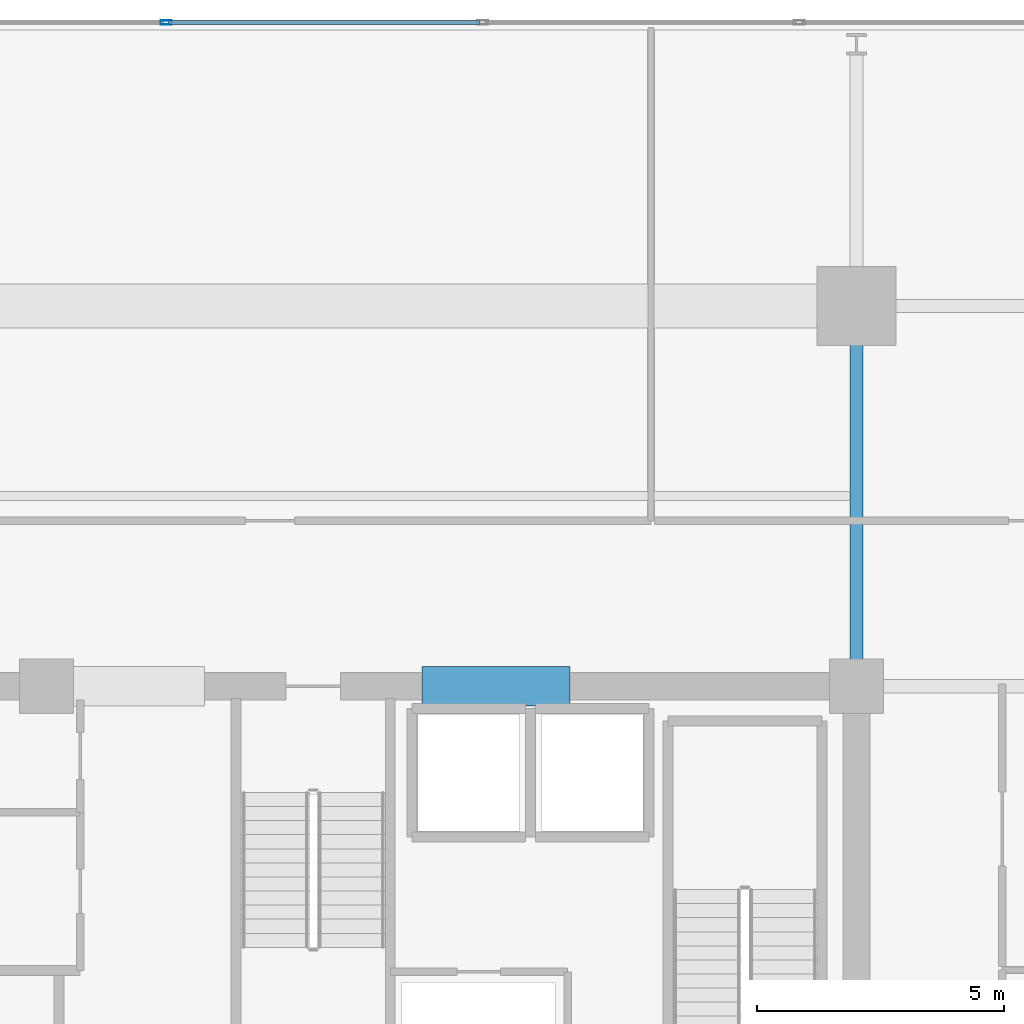
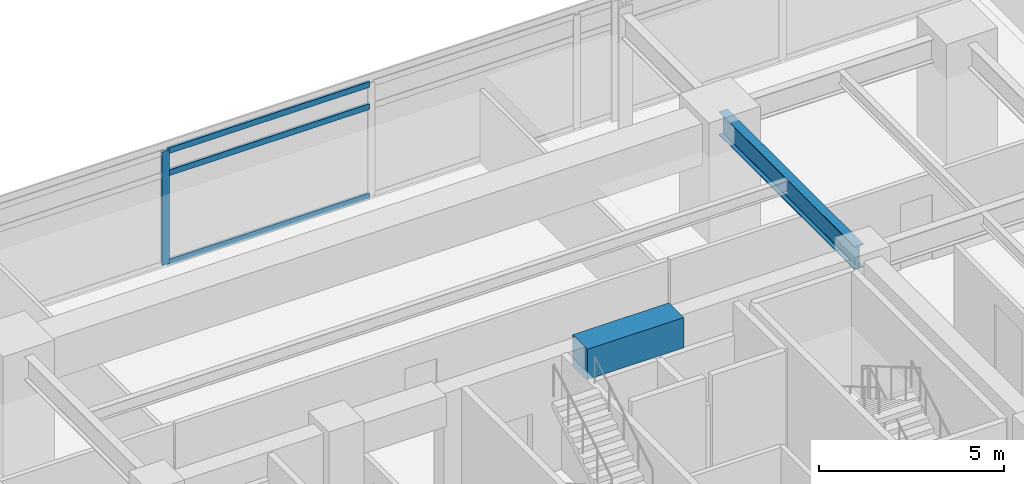
# One storey, part 10 of 23: 4 members, 2 beams, 1 element without a shape of its own.
"""IFC4 building model written with IfcOpenShell, lengths in metres."""

from ifc_helpers import new_model, si_unit, direction, frame, origin, origin_2d, place, context, subcontext, project, spatial, rectangle, hollow_rectangle, i_section, extrude, material, material_profile, profile_set, type_object, element, aggregate, save


model = new_model("IFC4")

# Units and contexts
model_context = context("Model", 3, precision=1e-05, world=origin(), true_north=direction((0.0, 1.0)))
body_context = subcontext(model_context, "Body", "Model", "MODEL_VIEW")
ifc_project = project(units=[si_unit("LENGTHUNIT", "METRE"), si_unit("AREAUNIT", "SQUARE_METRE"), si_unit("VOLUMEUNIT", "CUBIC_METRE"), si_unit("PLANEANGLEUNIT", "RADIAN"), si_unit("MASSUNIT", "GRAM", prefix="KILO")], contexts=[model_context])

# Site, building, storey
site_placement = place(None, origin())
site = spatial("IfcSite", under=ifc_project, at=site_placement, CompositionType="ELEMENT")
building_placement = place(site_placement, origin())
building = spatial("IfcBuilding", under=site, at=building_placement, Name="Kovane Verandah Tower", CompositionType="ELEMENT")
storey_placement = place(building_placement, frame((0.0, 0.0, 140.39990234375)))
storey = spatial("IfcBuildingStorey", under=building, at=storey_placement, Name="L32", CompositionType="ELEMENT", Elevation=140.39990234375)

# Beams
ifc_material_1 = material(Name="Concrete C60/75", Category="concrete")
ifc_material_profile_1 = material_profile(ifc_material_1, rectangle(XDim=0.800048828125, YDim=1.0, at=origin_2d()), Name="RCB800x1000")
ifc_profile_set_1 = profile_set([ifc_material_profile_1], Name="Concrete C60/75")
beam_type_1 = type_object("IfcBeamType", Name="BM-LINTEL-800x1000", PredefinedType="LINTEL", material=ifc_profile_set_1)
beam_1_placement = place(storey_placement, frame((42.199951171875, 36.5, 3.275146484375), z_axis=(1.0, 0.0, 0.0), x_axis=(0.0, 1.0, 0.0)))
element("IfcBeam", 1, at=beam_1_placement, inside=storey, type_object=beam_type_1, Name="L32 Core Coupling Lintel CL-N2", PredefinedType="LINTEL", context=body_context, shape_type="SweptSolid", body=[
    extrude(rectangle(XDim=0.800048828125, YDim=1.0, at=origin_2d()), origin(), (0.0, 0.0, 1.0), 3.0),
])
ifc_material_2 = material(Name="Steel S355", Category="steel")
ifc_material_profile_2 = material_profile(ifc_material_2, i_section(OverallWidth=0.26806640625, OverallDepth=0.769775390625, WebThickness=0.015625, FlangeThickness=0.025390625, FilletRadius=0.0166015625, at=origin_2d()), Name="UB762x267x197")
ifc_profile_set_2 = profile_set([ifc_material_profile_2], Name="Steel S355")
beam_type_2 = type_object("IfcBeamType", Name="BM-UB762x197", PredefinedType="BEAM", material=ifc_profile_set_2)
beam_2_placement = place(storey_placement, frame((51.0, 36.679931640625, 3.39013671875), z_axis=(0.0, 1.0, 0.0), x_axis=(-1.0, 0.0, 0.0)))
element("IfcBeam", 2, at=beam_2_placement, inside=storey, type_object=beam_type_2, Name="L32 Primary Tower Girder G-N2", PredefinedType="BEAM", context=body_context, shape_type="SweptSolid", body=[
    extrude(i_section(OverallWidth=0.26806640625, OverallDepth=0.769775390625, WebThickness=0.015625, FlangeThickness=0.025390625, FilletRadius=0.0166015625, at=origin_2d()), origin(), (0.0, 0.0, 1.0), 7.340087890625),
])

# Curtain wall, members
ifc_material_3 = material(Name="Champagne Anodised Aluminium Frame with Low-E Clear Laminated Glass", Category="aluminium")
curtain_wall_type = type_object("IfcCurtainWallType", Name="CW-SYS-03-MID", PredefinedType="NOTDEFINED", material=ifc_material_3)
curtain_wall_placement = place(storey_placement, origin())
curtain_wall = element("IfcCurtainWall", 3, at=curtain_wall_placement, inside=storey, type_object=curtain_wall_type, Name="L32 N Unitised Curtain Wall", PredefinedType="NOTDEFINED")
ifc_material_4 = material(Name="Champagne Anodised Aluminium 6063-T6", Category="aluminium")
ifc_material_profile_3 = material_profile(ifc_material_4, hollow_rectangle(XDim=0.0849609375, YDim=0.22998046875, WallThickness=0.00390625, at=origin_2d()), Name="AL85x230x4")
ifc_profile_set_3 = profile_set([ifc_material_profile_3], Name="Champagne Anodised Aluminium 6063-T6")
member_type_1 = type_object("IfcMemberType", Name="CW-MUL-85x230", PredefinedType="MULLION", material=ifc_profile_set_3)
member_1_placement = place(storey_placement, frame((37.0234375, 49.94091796875, 0.02001953125), z_axis=(0.0, 0.0, 1.0), x_axis=(0.0, 1.0, 0.0)))
member_1 = element("IfcMember", 4, at=member_1_placement, type_object=member_type_1, Name="L32 N Unitised Curtain Wall Mullion 5", PredefinedType="MULLION", context=body_context, shape_type="SweptSolid", body=[
    extrude(hollow_rectangle(XDim=0.0849609375, YDim=0.22998046875, WallThickness=0.00390625, at=origin_2d()), origin(), (0.0, 0.0, 1.0), 3.735107421875),
])
ifc_material_profile_4 = material_profile(ifc_material_4, hollow_rectangle(XDim=0.0849609375, YDim=0.18994140625, WallThickness=0.00390625, at=origin_2d()), Name="AL85x190x4")
ifc_profile_set_4 = profile_set([ifc_material_profile_4], Name="Champagne Anodised Aluminium 6063-T6")
member_type_2 = type_object("IfcMemberType", Name="CW-TRN-85x190", PredefinedType="USERDEFINED", material=ifc_profile_set_4)
member_2_placement = place(storey_placement, frame((43.381591796875, 49.94091796875, 0.050048828125), z_axis=(-1.0, 0.0, 0.0), x_axis=(0.0, -1.0, 0.0)))
member_2 = element("IfcMember", 5, at=member_2_placement, type_object=member_type_2, Name="L32 N Unitised Curtain Wall Transom TB Bay 4", ObjectType="TRANSOM", PredefinedType="USERDEFINED", context=body_context, shape_type="SweptSolid", body=[
    extrude(hollow_rectangle(XDim=0.0849609375, YDim=0.18994140625, WallThickness=0.00390625, at=origin_2d()), origin(), (0.0, 0.0, 1.0), 6.30810546875),
])
member_3_placement = place(storey_placement, frame((43.381591796875, 49.94091796875, 2.9951171875), z_axis=(-1.0, 0.0, 0.0), x_axis=(0.0, -1.0, 0.0)))
member_3 = element("IfcMember", 6, at=member_3_placement, type_object=member_type_2, Name="L32 N Unitised Curtain Wall Transom TM Bay 4", ObjectType="TRANSOM", PredefinedType="USERDEFINED", context=body_context, shape_type="SweptSolid", body=[
    extrude(hollow_rectangle(XDim=0.0849609375, YDim=0.18994140625, WallThickness=0.00390625, at=origin_2d()), origin(), (0.0, 0.0, 1.0), 6.30810546875),
])
member_4_placement = place(storey_placement, frame((43.381591796875, 49.94091796875, 3.72509765625), z_axis=(-1.0, 0.0, 0.0), x_axis=(0.0, -1.0, 0.0)))
member_4 = element("IfcMember", 7, at=member_4_placement, type_object=member_type_2, Name="L32 N Unitised Curtain Wall Transom TT Bay 4", ObjectType="TRANSOM", PredefinedType="USERDEFINED", context=body_context, shape_type="SweptSolid", body=[
    extrude(hollow_rectangle(XDim=0.0849609375, YDim=0.18994140625, WallThickness=0.00390625, at=origin_2d()), origin(), (0.0, 0.0, 1.0), 6.30810546875),
])
aggregate(curtain_wall, [member_1, member_2, member_3, member_4])

save(model, "model.ifc")
